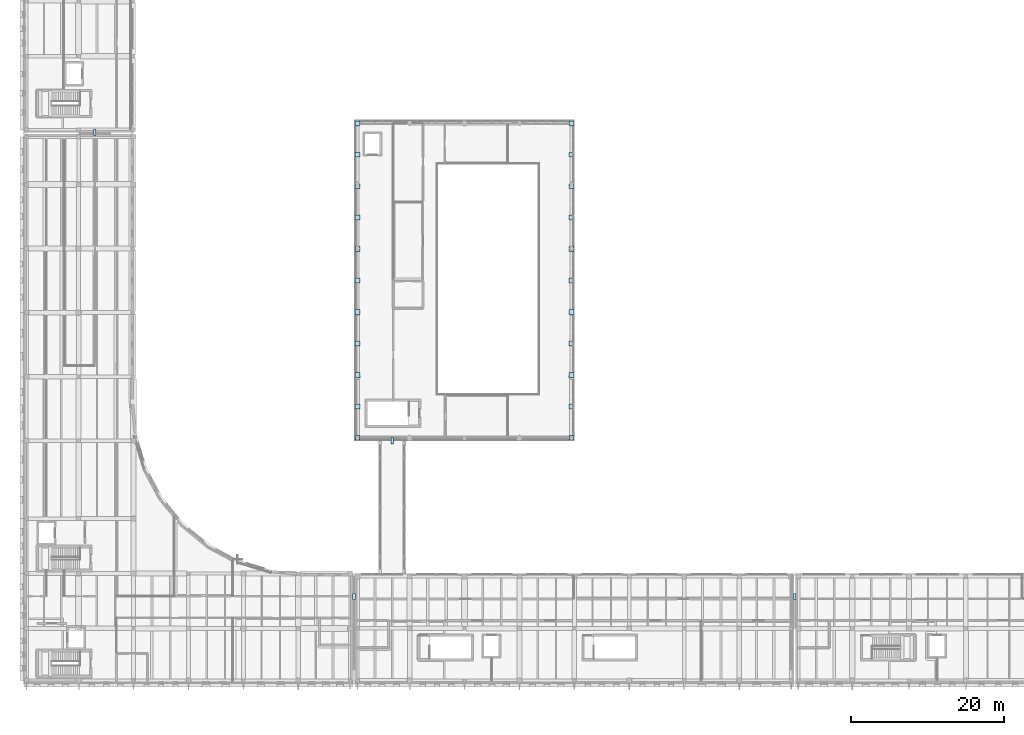
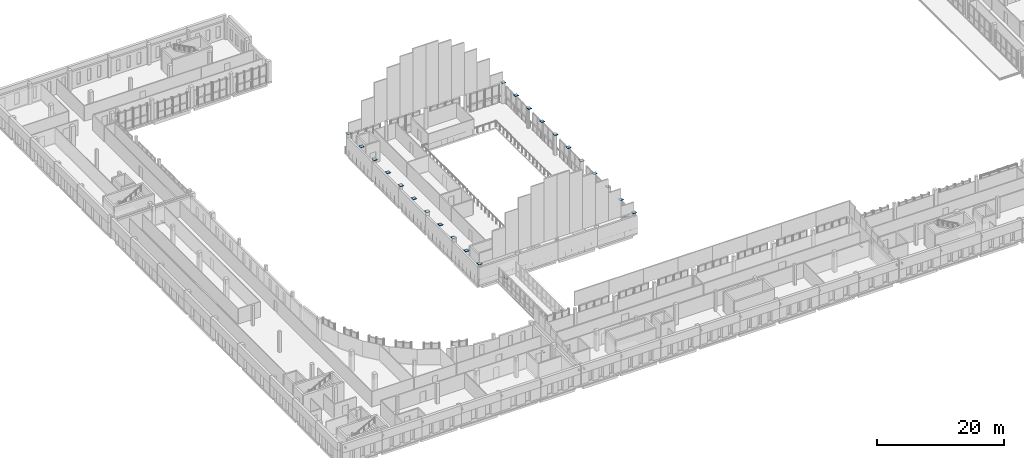
# One storey, part 47 of 76: 26 plates.
"""IFC4 building model written with IfcOpenShell, lengths in metres."""

from ifc_helpers import new_model, si_unit, direction, frame, origin, origin_2d, place, context, subcontext, project, spatial, rectangle, extrude, material, layer, layer_set, type_object, element, save


model = new_model("IFC4")

# Units and contexts
model_context = context("Model", 3, precision=1e-05, world=origin(), true_north=direction((0.0, 1.0)))
body_context = subcontext(model_context, "Body", "Model", "MODEL_VIEW")
ifc_project = project(units=[si_unit("LENGTHUNIT", "METRE"), si_unit("AREAUNIT", "SQUARE_METRE"), si_unit("VOLUMEUNIT", "CUBIC_METRE"), si_unit("PLANEANGLEUNIT", "RADIAN"), si_unit("MASSUNIT", "GRAM", prefix="KILO")], contexts=[model_context])

# Site, building, storey
site_placement = place(None, origin())
site = spatial("IfcSite", under=ifc_project, at=site_placement, CompositionType="ELEMENT")
building_placement = place(site_placement, origin())
building = spatial("IfcBuilding", under=site, at=building_placement, Name="Vardoun Plaza Health Centre", CompositionType="ELEMENT")
storey_placement = place(building_placement, frame((0.0, 0.0, 4.5)))
storey = spatial("IfcBuildingStorey", under=building, at=storey_placement, Name="L01", CompositionType="ELEMENT", Elevation=4.5)

# Plates
ifc_material_1 = material(Name="Steel S355J2", Category="steel")
ifc_layer_1 = layer(ifc_material_1, 0.0400390625)
ifc_layer_set_1 = layer_set([ifc_layer_1], Name="Steel S355J2")
plate_type_1 = type_object("IfcPlateType", Name="BP-01", PredefinedType="SHEET", material=ifc_layer_set_1)
for number, where, z_axis, x_axis, name in (
    (1, (13.800048828125, 76.699951171875, -0.260009765625), (0.0, 0.0, 1.0), (1.0, 0.0, 0.0), "Bridge BR-01 Guided PTFE Bearing Plate"),
    (2, (47.7900390625, 15.89990234375, -0.260009765625), (0.0, 0.0, 1.0), (1.0, 0.0, 0.0), "Bridge BR-03 Guided PTFE Bearing Plate"),
    (3, (105.570068359375, 15.89990234375, -0.260009765625), (0.0, 0.0, 1.0), (1.0, 0.0, 0.0), "Bridge BR-04 Guided PTFE Bearing Plate"),
    (4, (52.800048828125, 36.300048828125, -0.260009765625), (0.0, 0.0, 1.0), (1.0, 0.0, 0.0), "Bridge BR-06 Guided PTFE Bearing Plate"),
):
    element("IfcPlate", number, at=place(storey_placement, frame(where, z_axis=z_axis, x_axis=x_axis)), inside=storey, type_object=plate_type_1, Name=name, PredefinedType="SHEET", context=body_context, shape_type="SweptSolid", body=[
        extrude(rectangle(XDim=0.35009765625, YDim=0.800048828125, at=origin_2d()), origin(), (0.0, 0.0, 1.0), 0.0400390625),
    ])
ifc_material_2 = material(Name="Steel S355J2", Category="steel")
ifc_layer_2 = layer(ifc_material_2, 0.034912109375)
ifc_layer_set_2 = layer_set([ifc_layer_2], Name="Steel S355J2")
plate_type_2 = type_object("IfcPlateType", Name="NP-01", PredefinedType="USERDEFINED", material=ifc_layer_set_2)
for number, where, z_axis, x_axis, name in (
    (5, (48.260009765625, 36.679931640625, 3.88232421875), (0.0, 0.0, 1.0), (1.0, 0.0, 0.0), "Gridshell Star Node Plate GN-01-01"),
    (6, (76.300048828125, 36.679931640625, 3.88232421875), (0.0, 0.0, 1.0), (1.0, 0.0, 0.0), "Gridshell Star Node Plate GN-01-09"),
    (7, (48.260009765625, 40.803955078125, 3.88232421875), (0.0, 0.0, 1.0), (1.0, 0.0, 0.0), "Gridshell Star Node Plate GN-02-01"),
    (8, (76.300048828125, 40.803955078125, 3.88232421875), (0.0, 0.0, 1.0), (1.0, 0.0, 0.0), "Gridshell Star Node Plate GN-02-09"),
    (9, (48.260009765625, 44.927978515625, 3.88232421875), (0.0, 0.0, 1.0), (1.0, 0.0, 0.0), "Gridshell Star Node Plate GN-03-01"),
    (10, (76.300048828125, 44.927978515625, 3.88232421875), (0.0, 0.0, 1.0), (1.0, 0.0, 0.0), "Gridshell Star Node Plate GN-03-09"),
    (11, (48.260009765625, 49.052001953125, 3.88232421875), (0.0, 0.0, 1.0), (1.0, 0.0, 0.0), "Gridshell Star Node Plate GN-04-01"),
    (12, (76.300048828125, 49.052001953125, 3.88232421875), (0.0, 0.0, 1.0), (1.0, 0.0, 0.0), "Gridshell Star Node Plate GN-04-09"),
    (13, (48.260009765625, 53.176025390625, 3.88232421875), (0.0, 0.0, 1.0), (1.0, 0.0, 0.0), "Gridshell Star Node Plate GN-05-01"),
    (14, (76.300048828125, 53.176025390625, 3.88232421875), (0.0, 0.0, 1.0), (1.0, 0.0, 0.0), "Gridshell Star Node Plate GN-05-09"),
    (15, (48.260009765625, 57.300048828125, 3.88232421875), (0.0, 0.0, 1.0), (1.0, 0.0, 0.0), "Gridshell Star Node Plate GN-06-01"),
    (16, (76.300048828125, 57.300048828125, 3.88232421875), (0.0, 0.0, 1.0), (1.0, 0.0, 0.0), "Gridshell Star Node Plate GN-06-09"),
    (17, (48.260009765625, 61.424072265625, 3.88232421875), (0.0, 0.0, 1.0), (1.0, 0.0, 0.0), "Gridshell Star Node Plate GN-07-01"),
    (18, (76.300048828125, 61.424072265625, 3.88232421875), (0.0, 0.0, 1.0), (1.0, 0.0, 0.0), "Gridshell Star Node Plate GN-07-09"),
    (19, (48.260009765625, 65.548095703125, 3.88232421875), (0.0, 0.0, 1.0), (1.0, 0.0, 0.0), "Gridshell Star Node Plate GN-08-01"),
    (20, (76.300048828125, 65.548095703125, 3.88232421875), (0.0, 0.0, 1.0), (1.0, 0.0, 0.0), "Gridshell Star Node Plate GN-08-09"),
    (21, (48.260009765625, 69.672119140625, 3.88232421875), (0.0, 0.0, 1.0), (1.0, 0.0, 0.0), "Gridshell Star Node Plate GN-09-01"),
    (22, (76.300048828125, 69.672119140625, 3.88232421875), (0.0, 0.0, 1.0), (1.0, 0.0, 0.0), "Gridshell Star Node Plate GN-09-09"),
    (23, (48.260009765625, 73.7958984375, 3.88232421875), (0.0, 0.0, 1.0), (1.0, 0.0, 0.0), "Gridshell Star Node Plate GN-10-01"),
    (24, (76.300048828125, 73.7958984375, 3.88232421875), (0.0, 0.0, 1.0), (1.0, 0.0, 0.0), "Gridshell Star Node Plate GN-10-09"),
    (25, (48.260009765625, 77.919921875, 3.88232421875), (0.0, 0.0, 1.0), (1.0, 0.0, 0.0), "Gridshell Star Node Plate GN-11-01"),
    (26, (76.300048828125, 77.919921875, 3.88232421875), (0.0, 0.0, 1.0), (1.0, 0.0, 0.0), "Gridshell Star Node Plate GN-11-09"),
):
    element("IfcPlate", number, at=place(storey_placement, frame(where, z_axis=z_axis, x_axis=x_axis)), inside=storey, type_object=plate_type_2, Name=name, ObjectType="GUSSET_PLATE", PredefinedType="USERDEFINED", context=body_context, shape_type="SweptSolid", body=[
        extrude(rectangle(XDim=0.6201171875, YDim=0.6201171875, at=origin_2d()), origin(), (0.0, 0.0, 1.0), 0.034912109375),
    ])

save(model, "model.ifc")
